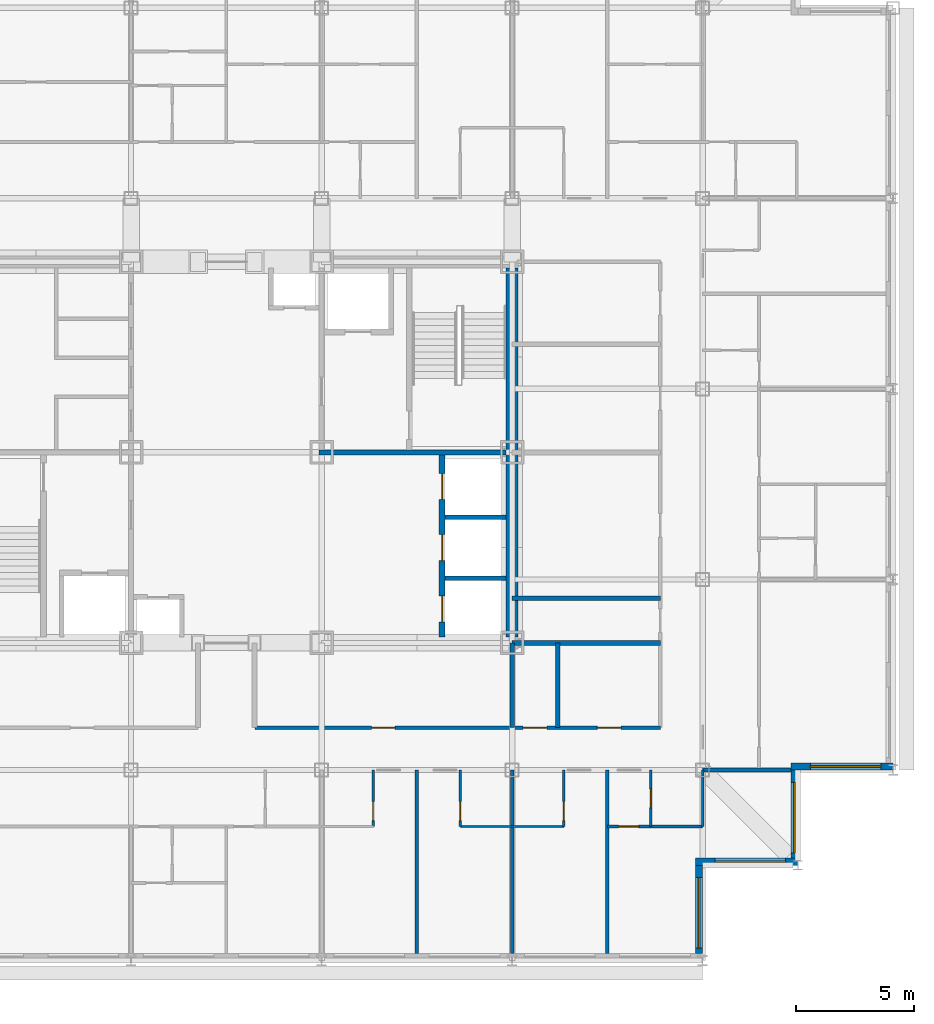
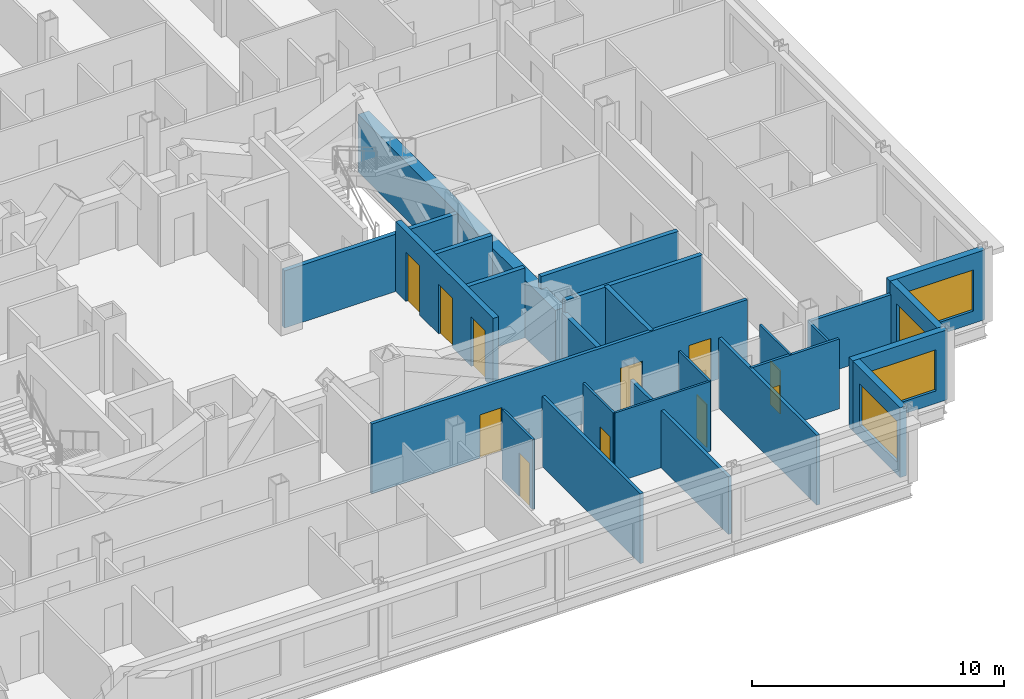
# One storey, part 7 of 12: 25 walls, 11 doors, 4 windows, 15 openings.
"""IFC4 building model written with IfcOpenShell, lengths in metres."""

from ifc_helpers import new_model, si_unit, direction, frame, frame_2d, origin, place, context, subcontext, project, spatial, rectangle, extrude, material, layer, layer_set, type_object, element, fill, save


model = new_model("IFC4")

# Units and contexts
model_context = context("Model", 3, precision=1e-05, world=origin(), true_north=direction((0.0, 1.0)))
body_context = subcontext(model_context, "Body", "Model", "MODEL_VIEW")
ifc_project = project(units=[si_unit("LENGTHUNIT", "METRE"), si_unit("AREAUNIT", "SQUARE_METRE"), si_unit("VOLUMEUNIT", "CUBIC_METRE"), si_unit("PLANEANGLEUNIT", "RADIAN"), si_unit("MASSUNIT", "GRAM", prefix="KILO")], contexts=[model_context])

# Site, building, storey
site_placement = place(None, origin())
site = spatial("IfcSite", under=ifc_project, at=site_placement, CompositionType="ELEMENT")
building_placement = place(site_placement, origin())
building = spatial("IfcBuilding", under=site, at=building_placement, Name="Kopane Lantern Tower", CompositionType="ELEMENT")
storey_placement = place(building_placement, frame((0.0, 0.0, 217.199951171875)))
storey = spatial("IfcBuildingStorey", under=building, at=storey_placement, Name="L56", CompositionType="ELEMENT", Elevation=217.199951171875)

# Wall, opening, door
ifc_material_1 = material(Name="Gypsum board on steel studs", Category="steel")
ifc_layer_1 = layer(ifc_material_1, 0.1201171875)
ifc_layer_set_1 = layer_set([ifc_layer_1], Name="APARTMENT INTERNAL WALL 120")
wall_type_1 = type_object("IfcWallType", Name="APARTMENT INTERNAL WALL 120", PredefinedType="PARTITIONING", material=ifc_layer_set_1)
wall_1_placement = place(storey_placement, frame((44.550048828125, 16.5, 0.0), z_axis=(0.0, 0.0, 1.0), x_axis=(1.0, 0.0, 0.0)))
wall_1 = element("IfcWall", 1, at=wall_1_placement, inside=storey, type_object=wall_type_1, Name="Apartment Internal Wall 120 L56", PredefinedType="PARTITIONING", context=body_context, shape_type="SweptSolid", body=[
    extrude(rectangle(XDim=4.050048828125, YDim=0.1201171875, at=frame_2d((2.02490234375, 0.0))), origin(), (0.0, 0.0, 1.0), 3.39013671875),
])
opening_1_placement = place(wall_1_placement, frame((0.47509765625, 0.0, 0.0)))
opening_1 = element("IfcOpeningElement", 2, at=opening_1_placement, cuts=wall_1, Name="Opening L56-060", PredefinedType="OPENING", context=body_context, shape_type="SweptSolid", body=[
    extrude(rectangle(XDim=0.85009765625, YDim=2.10009765625, at=frame_2d((0.425048828125, 1.050048828125))), frame((0.0, 0.070068359375, 0.0), z_axis=(0.0, -1.0, 0.0), x_axis=(1.0, 0.0, 0.0)), (0.0, 0.0, 1.0), 0.14013671875),
])
ifc_material_2 = material(Name="Timber door set", Category="wood")
door_type_1 = type_object("IfcDoorType", Name="DOOR D4 850x2100", OperationType="SINGLE_SWING_LEFT", PredefinedType="DOOR", material=ifc_material_2)
door_1_placement = place(opening_1_placement, origin())
door_1 = element("IfcDoor", 3, at=door_1_placement, inside=storey, type_object=door_type_1, Name="Door L56-060", OperationType="SINGLE_SWING_RIGHT", OverallHeight=2.10009765625, OverallWidth=0.85009765625, PredefinedType="DOOR", context=body_context, shape_type="SweptSolid", body=[
    extrude(rectangle(XDim=0.85009765625, YDim=2.10009765625, at=frame_2d((0.425048828125, 1.050048828125))), frame((0.0, 0.02490234375, 0.0), z_axis=(0.0, -1.0, 0.0), x_axis=(1.0, 0.0, 0.0)), (0.0, 0.0, 1.0), 0.050048828125),
])
fill(opening_1, door_1)

ifc_material_3 = material(Name="Moisture-resistant board on steel studs", Category="steel")
ifc_layer_2 = layer(ifc_material_3, 0.10009765625)
ifc_layer_set_2 = layer_set([ifc_layer_2], Name="BATHROOM WALL 100")
wall_type_2 = type_object("IfcWallType", Name="BATHROOM WALL 100", PredefinedType="PARTITIONING", material=ifc_layer_set_2)
wall_2_placement = place(storey_placement, frame((34.60009765625, 18.89990234375, 0.0), z_axis=(0.0, 0.0, 1.0), x_axis=(0.0, -1.0, 0.0)))
wall_2 = element("IfcWall", 4, at=wall_2_placement, inside=storey, type_object=wall_type_2, Name="Bathroom Wall 100 L56", PredefinedType="PARTITIONING", context=body_context, shape_type="SweptSolid", body=[
    extrude(rectangle(XDim=2.39990234375, YDim=0.10009765625, at=frame_2d((1.199951171875, 0.0))), origin(), (0.0, 0.0, 1.0), 3.39013671875),
])
opening_2_placement = place(wall_2_placement, frame((1.35009765625, 0.0, 0.0)))
opening_2 = element("IfcOpeningElement", 5, at=opening_2_placement, cuts=wall_2, Name="Opening L56-018", PredefinedType="OPENING", context=body_context, shape_type="SweptSolid", body=[
    extrude(rectangle(XDim=0.800048828125, YDim=2.10009765625, at=frame_2d((0.39990234375, 1.050048828125))), frame((0.0, 0.06005859375, 0.0), z_axis=(0.0, -1.0, 0.0), x_axis=(1.0, 0.0, 0.0)), (0.0, 0.0, 1.0), 0.1201171875),
])
ifc_material_4 = material(Name="Timber door set", Category="wood")
door_type_2 = type_object("IfcDoorType", Name="DOOR D2 800x2100", OperationType="SINGLE_SWING_LEFT", PredefinedType="DOOR", material=ifc_material_4)
door_2_placement = place(opening_2_placement, origin())
door_2 = element("IfcDoor", 6, at=door_2_placement, inside=storey, type_object=door_type_2, Name="Door L56-018", OperationType="SINGLE_SWING_LEFT", OverallHeight=2.10009765625, OverallWidth=0.800048828125, PredefinedType="DOOR", context=body_context, shape_type="SweptSolid", body=[
    extrude(rectangle(XDim=0.800048828125, YDim=2.10009765625, at=frame_2d((0.39990234375, 1.050048828125))), frame((0.0, 0.02490234375, 0.0), z_axis=(0.0, -1.0, 0.0), x_axis=(1.0, 0.0, 0.0)), (0.0, 0.0, 1.0), 0.050048828125),
])
fill(opening_2, door_2)

# Wall
wall_3_placement = place(storey_placement, frame((38.300048828125, 16.5, 0.0), z_axis=(0.0, 0.0, 1.0), x_axis=(1.0, 0.0, 0.0)))
element("IfcWall", 7, at=wall_3_placement, inside=storey, type_object=wall_type_2, Name="Bathroom Wall 100 L56", PredefinedType="PARTITIONING", context=body_context, shape_type="SweptSolid", body=[
    extrude(rectangle(XDim=4.39990234375, YDim=0.10009765625, at=frame_2d((2.199951171875, 0.0))), origin(), (0.0, 0.0, 1.0), 3.39013671875),
])

# Wall, opening, door
wall_4_placement = place(storey_placement, frame((38.300048828125, 18.89990234375, 0.0), z_axis=(0.0, 0.0, 1.0), x_axis=(0.0, -1.0, 0.0)))
wall_4 = element("IfcWall", 8, at=wall_4_placement, inside=storey, type_object=wall_type_2, Name="Bathroom Wall 100 L56", PredefinedType="PARTITIONING", context=body_context, shape_type="SweptSolid", body=[
    extrude(rectangle(XDim=2.39990234375, YDim=0.10009765625, at=frame_2d((1.199951171875, 0.0))), origin(), (0.0, 0.0, 1.0), 3.39013671875),
])
opening_3_placement = place(wall_4_placement, frame((1.35009765625, 0.0, 0.0)))
opening_3 = element("IfcOpeningElement", 9, at=opening_3_placement, cuts=wall_4, Name="Opening L56-020", PredefinedType="OPENING", context=body_context, shape_type="SweptSolid", body=[
    extrude(rectangle(XDim=0.800048828125, YDim=2.10009765625, at=frame_2d((0.39990234375, 1.050048828125))), frame((0.0, 0.06005859375, 0.0), z_axis=(0.0, -1.0, 0.0), x_axis=(1.0, 0.0, 0.0)), (0.0, 0.0, 1.0), 0.1201171875),
])
door_3_placement = place(opening_3_placement, origin())
door_3 = element("IfcDoor", 10, at=door_3_placement, inside=storey, type_object=door_type_2, Name="Door L56-020", OperationType="SINGLE_SWING_RIGHT", OverallHeight=2.10009765625, OverallWidth=0.800048828125, PredefinedType="DOOR", context=body_context, shape_type="SweptSolid", body=[
    extrude(rectangle(XDim=0.800048828125, YDim=2.10009765625, at=frame_2d((0.39990234375, 1.050048828125))), frame((0.0, 0.02490234375, 0.0), z_axis=(0.0, -1.0, 0.0), x_axis=(1.0, 0.0, 0.0)), (0.0, 0.0, 1.0), 0.050048828125),
])
fill(opening_3, door_3)

wall_5_placement = place(storey_placement, frame((42.699951171875, 18.89990234375, 0.0), z_axis=(0.0, 0.0, 1.0), x_axis=(0.0, -1.0, 0.0)))
wall_5 = element("IfcWall", 11, at=wall_5_placement, inside=storey, type_object=wall_type_2, Name="Bathroom Wall 100 L56", PredefinedType="PARTITIONING", context=body_context, shape_type="SweptSolid", body=[
    extrude(rectangle(XDim=2.39990234375, YDim=0.10009765625, at=frame_2d((1.199951171875, 0.0))), origin(), (0.0, 0.0, 1.0), 3.39013671875),
])
opening_4_placement = place(wall_5_placement, frame((1.35009765625, 0.0, 0.0)))
opening_4 = element("IfcOpeningElement", 12, at=opening_4_placement, cuts=wall_5, Name="Opening L56-022", PredefinedType="OPENING", context=body_context, shape_type="SweptSolid", body=[
    extrude(rectangle(XDim=0.800048828125, YDim=2.10009765625, at=frame_2d((0.39990234375, 1.050048828125))), frame((0.0, 0.06005859375, 0.0), z_axis=(0.0, -1.0, 0.0), x_axis=(1.0, 0.0, 0.0)), (0.0, 0.0, 1.0), 0.1201171875),
])
door_4_placement = place(opening_4_placement, origin())
door_4 = element("IfcDoor", 13, at=door_4_placement, inside=storey, type_object=door_type_2, Name="Door L56-022", OperationType="SINGLE_SWING_LEFT", OverallHeight=2.10009765625, OverallWidth=0.800048828125, PredefinedType="DOOR", context=body_context, shape_type="SweptSolid", body=[
    extrude(rectangle(XDim=0.800048828125, YDim=2.10009765625, at=frame_2d((0.39990234375, 1.050048828125))), frame((0.0, 0.02490234375, 0.0), z_axis=(0.0, -1.0, 0.0), x_axis=(1.0, 0.0, 0.0)), (0.0, 0.0, 1.0), 0.050048828125),
])
fill(opening_4, door_4)

wall_6_placement = place(storey_placement, frame((46.39990234375, 18.89990234375, 0.0), z_axis=(0.0, 0.0, 1.0), x_axis=(0.0, -1.0, 0.0)))
wall_6 = element("IfcWall", 14, at=wall_6_placement, inside=storey, type_object=wall_type_2, Name="Bathroom Wall 100 L56", PredefinedType="PARTITIONING", context=body_context, shape_type="SweptSolid", body=[
    extrude(rectangle(XDim=2.39990234375, YDim=0.10009765625, at=frame_2d((1.199951171875, 0.0))), origin(), (0.0, 0.0, 1.0), 3.39013671875),
])
opening_5_placement = place(wall_6_placement, frame((0.800048828125, 0.0, 0.0)))
opening_5 = element("IfcOpeningElement", 15, at=opening_5_placement, cuts=wall_6, Name="Opening L56-058", PredefinedType="OPENING", context=body_context, shape_type="SweptSolid", body=[
    extrude(rectangle(XDim=0.800048828125, YDim=2.10009765625, at=frame_2d((0.39990234375, 1.050048828125))), frame((0.0, 0.06005859375, 0.0), z_axis=(0.0, -1.0, 0.0), x_axis=(1.0, 0.0, 0.0)), (0.0, 0.0, 1.0), 0.1201171875),
])
door_5_placement = place(opening_5_placement, origin())
door_5 = element("IfcDoor", 16, at=door_5_placement, inside=storey, type_object=door_type_2, Name="Door L56-058", OperationType="SINGLE_SWING_LEFT", OverallHeight=2.10009765625, OverallWidth=0.800048828125, PredefinedType="DOOR", context=body_context, shape_type="SweptSolid", body=[
    extrude(rectangle(XDim=0.800048828125, YDim=2.10009765625, at=frame_2d((0.39990234375, 1.050048828125))), frame((0.0, 0.02490234375, 0.0), z_axis=(0.0, -1.0, 0.0), x_axis=(1.0, 0.0, 0.0)), (0.0, 0.0, 1.0), 0.050048828125),
])
fill(opening_5, door_5)

# Walls
wall_7_placement = place(storey_placement, frame((48.60009765625, 18.89990234375, 0.0), z_axis=(0.0, 0.0, 1.0), x_axis=(0.0, -1.0, 0.0)))
element("IfcWall", 17, at=wall_7_placement, inside=storey, type_object=wall_type_2, Name="Bathroom Wall 100 L56", PredefinedType="PARTITIONING", context=body_context, shape_type="SweptSolid", body=[
    extrude(rectangle(XDim=2.39990234375, YDim=0.10009765625, at=frame_2d((1.199951171875, 0.0))), origin(), (0.0, 0.0, 1.0), 2.77783203125),
])
ifc_material_5 = material(Name="Gypsum shaft wall EI 120", Category="gypsum")
ifc_layer_3 = layer(ifc_material_5, 0.5)
ifc_layer_set_3 = layer_set([ifc_layer_3], Name="CORE PERIMETER WALL 500 EI 120")
wall_type_3 = type_object("IfcWallType", Name="CORE PERIMETER WALL 500 EI 120", PredefinedType="SOLIDWALL", material=ifc_layer_set_3)
wall_8_placement = place(storey_placement, frame((40.5, 24.550048828125, 0.0), z_axis=(0.0, 0.0, 1.0), x_axis=(0.0, 1.0, 0.0)))
element("IfcWall", 18, at=wall_8_placement, inside=storey, type_object=wall_type_3, Name="Core shaft wall L56 PE", PredefinedType="SOLIDWALL", context=body_context, shape_type="SweptSolid", body=[
    extrude(rectangle(XDim=15.699951171875, YDim=0.5, at=frame_2d((7.85009765625, 0.0))), origin(), (0.0, 0.0, 1.0), 2.77783203125),
])

# Wall, openings, doors
ifc_material_6 = material(Name="Gypsum shaft wall EI 120", Category="gypsum")
ifc_layer_4 = layer(ifc_material_6, 0.25)
ifc_layer_set_4 = layer_set([ifc_layer_4], Name="CORE SHAFT WALL 250 EI 120")
wall_type_4 = type_object("IfcWallType", Name="CORE SHAFT WALL 250 EI 120", PredefinedType="SOLIDWALL", material=ifc_layer_set_4)
wall_9_placement = place(storey_placement, frame((37.52490234375, 24.550048828125, 0.0), z_axis=(0.0, 0.0, 1.0), x_axis=(0.0, 1.0, 0.0)))
wall_9 = element("IfcWall", 19, at=wall_9_placement, inside=storey, type_object=wall_type_4, Name="Core shaft wall L56 XLR", PredefinedType="SOLIDWALL", context=body_context, shape_type="SweptSolid", body=[
    extrude(rectangle(XDim=7.75, YDim=0.25, at=frame_2d((3.875, 0.0))), origin(), (0.0, 0.0, 1.0), 3.39013671875),
])
opening_6_placement = place(wall_9_placement, frame((0.64990234375, 0.0, 0.0)))
opening_6 = element("IfcOpeningElement", 20, at=opening_6_placement, cuts=wall_9, Name="Opening 56.LD-LR1", PredefinedType="OPENING", context=body_context, shape_type="SweptSolid", body=[
    extrude(rectangle(XDim=1.10009765625, YDim=2.39990234375, at=frame_2d((0.550048828125, 1.199951171875))), frame((0.0, 0.135009765625, 0.0), z_axis=(0.0, -1.0, 0.0), x_axis=(1.0, 0.0, 0.0)), (0.0, 0.0, 1.0), 0.27001953125),
])
opening_7_placement = place(wall_9_placement, frame((3.25, 0.0, 0.0)))
opening_7 = element("IfcOpeningElement", 21, at=opening_7_placement, cuts=wall_9, Name="Opening 56.LD-LR2", PredefinedType="OPENING", context=body_context, shape_type="SweptSolid", body=[
    extrude(rectangle(XDim=1.10009765625, YDim=2.39990234375, at=frame_2d((0.550048828125, 1.199951171875))), frame((0.0, 0.135009765625, 0.0), z_axis=(0.0, -1.0, 0.0), x_axis=(1.0, 0.0, 0.0)), (0.0, 0.0, 1.0), 0.27001953125),
])
opening_8_placement = place(wall_9_placement, frame((5.85009765625, 0.0, 0.0)))
opening_8 = element("IfcOpeningElement", 22, at=opening_8_placement, cuts=wall_9, Name="Opening 56.LD-LR3", PredefinedType="OPENING", context=body_context, shape_type="SweptSolid", body=[
    extrude(rectangle(XDim=1.10009765625, YDim=2.39990234375, at=frame_2d((0.550048828125, 1.199951171875))), frame((0.0, 0.135009765625, 0.0), z_axis=(0.0, -1.0, 0.0), x_axis=(1.0, 0.0, 0.0)), (0.0, 0.0, 1.0), 0.27001953125),
])
ifc_material_7 = material(Name="Steel door set", Category="steel")
door_type_3 = type_object("IfcDoorType", Name="LIFT LANDING DOOR 1100x2400 FD60", OperationType="DOUBLE_DOOR_SLIDING", PredefinedType="DOOR", material=ifc_material_7)
door_6_placement = place(opening_6_placement, origin())
door_6 = element("IfcDoor", 23, at=door_6_placement, inside=storey, type_object=door_type_3, Name="Landing door LR1 L56", OperationType="DOUBLE_DOOR_SLIDING", OverallHeight=2.39990234375, OverallWidth=1.10009765625, PredefinedType="DOOR", context=body_context, shape_type="SweptSolid", body=[
    extrude(rectangle(XDim=1.10009765625, YDim=2.39990234375, at=frame_2d((0.550048828125, 1.199951171875))), frame((0.0, 0.02490234375, 0.0), z_axis=(0.0, -1.0, 0.0), x_axis=(1.0, 0.0, 0.0)), (0.0, 0.0, 1.0), 0.050048828125),
])
fill(opening_6, door_6)
door_7_placement = place(opening_7_placement, origin())
door_7 = element("IfcDoor", 24, at=door_7_placement, inside=storey, type_object=door_type_3, Name="Landing door LR2 L56", OperationType="DOUBLE_DOOR_SLIDING", OverallHeight=2.39990234375, OverallWidth=1.10009765625, PredefinedType="DOOR", context=body_context, shape_type="SweptSolid", body=[
    extrude(rectangle(XDim=1.10009765625, YDim=2.39990234375, at=frame_2d((0.550048828125, 1.199951171875))), frame((0.0, 0.02490234375, 0.0), z_axis=(0.0, -1.0, 0.0), x_axis=(1.0, 0.0, 0.0)), (0.0, 0.0, 1.0), 0.050048828125),
])
fill(opening_7, door_7)
door_8_placement = place(opening_8_placement, origin())
door_8 = element("IfcDoor", 25, at=door_8_placement, inside=storey, type_object=door_type_3, Name="Landing door LR3 L56", OperationType="DOUBLE_DOOR_SLIDING", OverallHeight=2.39990234375, OverallWidth=1.10009765625, PredefinedType="DOOR", context=body_context, shape_type="SweptSolid", body=[
    extrude(rectangle(XDim=1.10009765625, YDim=2.39990234375, at=frame_2d((0.550048828125, 1.199951171875))), frame((0.0, 0.02490234375, 0.0), z_axis=(0.0, -1.0, 0.0), x_axis=(1.0, 0.0, 0.0)), (0.0, 0.0, 1.0), 0.050048828125),
])
fill(opening_8, door_8)

ifc_material_8 = material(Name="Gypsum board on steel studs", Category="steel")
ifc_layer_5 = layer(ifc_material_8, 0.14990234375)
ifc_layer_set_5 = layer_set([ifc_layer_5], Name="CORRIDOR WALL 150 EI 60")
wall_type_5 = type_object("IfcWallType", Name="CORRIDOR WALL 150 EI 60", PredefinedType="PARTITIONING", material=ifc_layer_set_5)
wall_10_placement = place(storey_placement, frame((29.56005859375, 20.699951171875, 0.0), z_axis=(0.0, 0.0, 1.0), x_axis=(1.0, 0.0, 0.0)))
wall_10 = element("IfcWall", 26, at=wall_10_placement, inside=storey, type_object=wall_type_5, Name="Corridor Wall 150 Ei 60 L56", PredefinedType="PARTITIONING", context=body_context, shape_type="SweptSolid", body=[
    extrude(rectangle(XDim=17.239990234375, YDim=0.14990234375, at=frame_2d((8.6201171875, 0.0))), origin(), (0.0, 0.0, 1.0), 3.39013671875),
])
opening_9_placement = place(wall_10_placement, frame((4.965087890625, 0.0, 0.0)))
opening_9 = element("IfcOpeningElement", 27, at=opening_9_placement, cuts=wall_10, Name="Opening L56-009", PredefinedType="OPENING", context=body_context, shape_type="SweptSolid", body=[
    extrude(rectangle(XDim=1.0, YDim=2.10009765625, at=frame_2d((0.5, 1.050048828125))), frame((0.0, 0.0849609375, 0.0), z_axis=(0.0, -1.0, 0.0), x_axis=(1.0, 0.0, 0.0)), (0.0, 0.0, 1.0), 0.169921875),
])
opening_10_placement = place(wall_10_placement, frame((11.412109375, 0.0, 0.0)))
opening_10 = element("IfcOpeningElement", 28, at=opening_10_placement, cuts=wall_10, Name="Opening L56-010", PredefinedType="OPENING", context=body_context, shape_type="SweptSolid", body=[
    extrude(rectangle(XDim=1.0, YDim=2.10009765625, at=frame_2d((0.5, 1.050048828125))), frame((0.0, 0.0849609375, 0.0), z_axis=(0.0, -1.0, 0.0), x_axis=(1.0, 0.0, 0.0)), (0.0, 0.0, 1.0), 0.169921875),
])
opening_11_placement = place(wall_10_placement, frame((14.562255859375, 0.0, 0.0)))
opening_11 = element("IfcOpeningElement", 29, at=opening_11_placement, cuts=wall_10, Name="Opening L56-011", PredefinedType="OPENING", context=body_context, shape_type="SweptSolid", body=[
    extrude(rectangle(XDim=1.0, YDim=2.10009765625, at=frame_2d((0.5, 1.050048828125))), frame((0.0, 0.0849609375, 0.0), z_axis=(0.0, -1.0, 0.0), x_axis=(1.0, 0.0, 0.0)), (0.0, 0.0, 1.0), 0.169921875),
])
ifc_material_9 = material(Name="Steel door set", Category="steel")
door_type_4 = type_object("IfcDoorType", Name="DOOR D5 1000x2100 FD60", OperationType="SINGLE_SWING_LEFT", PredefinedType="DOOR", material=ifc_material_9)
door_9_placement = place(opening_9_placement, origin())
door_9 = element("IfcDoor", 30, at=door_9_placement, inside=storey, type_object=door_type_4, Name="Door L56-009", OperationType="SINGLE_SWING_LEFT", OverallHeight=2.10009765625, OverallWidth=1.0, PredefinedType="DOOR", context=body_context, shape_type="SweptSolid", body=[
    extrude(rectangle(XDim=1.0, YDim=2.10009765625, at=frame_2d((0.5, 1.050048828125))), frame((0.0, 0.02490234375, 0.0), z_axis=(0.0, -1.0, 0.0), x_axis=(1.0, 0.0, 0.0)), (0.0, 0.0, 1.0), 0.050048828125),
])
fill(opening_9, door_9)
door_10_placement = place(opening_10_placement, origin())
door_10 = element("IfcDoor", 31, at=door_10_placement, inside=storey, type_object=door_type_4, Name="Door L56-010", OperationType="SINGLE_SWING_RIGHT", OverallHeight=2.10009765625, OverallWidth=1.0, PredefinedType="DOOR", context=body_context, shape_type="SweptSolid", body=[
    extrude(rectangle(XDim=1.0, YDim=2.10009765625, at=frame_2d((0.5, 1.050048828125))), frame((0.0, 0.02490234375, 0.0), z_axis=(0.0, -1.0, 0.0), x_axis=(1.0, 0.0, 0.0)), (0.0, 0.0, 1.0), 0.050048828125),
])
fill(opening_10, door_10)
door_11_placement = place(opening_11_placement, origin())
door_11 = element("IfcDoor", 32, at=door_11_placement, inside=storey, type_object=door_type_4, Name="Door L56-011", OperationType="SINGLE_SWING_LEFT", OverallHeight=2.10009765625, OverallWidth=1.0, PredefinedType="DOOR", context=body_context, shape_type="SweptSolid", body=[
    extrude(rectangle(XDim=1.0, YDim=2.10009765625, at=frame_2d((0.5, 1.050048828125))), frame((0.0, 0.02490234375, 0.0), z_axis=(0.0, -1.0, 0.0), x_axis=(1.0, 0.0, 0.0)), (0.0, 0.0, 1.0), 0.050048828125),
])
fill(opening_11, door_11)

# Walls
ifc_material_10 = material(Name="Gypsum board on steel studs", Category="steel")
ifc_layer_6 = layer(ifc_material_10, 0.14990234375)
ifc_layer_set_6 = layer_set([ifc_layer_6], Name="DEMISING WALL 150 EI 60")
wall_type_6 = type_object("IfcWallType", Name="DEMISING WALL 150 EI 60", PredefinedType="PARTITIONING", material=ifc_layer_set_6)
wall_11_placement = place(storey_placement, frame((36.449951171875, 18.89990234375, 0.0), z_axis=(0.0, 0.0, 1.0), x_axis=(0.0, -1.0, 0.0)))
element("IfcWall", 33, at=wall_11_placement, inside=storey, type_object=wall_type_6, Name="Demising Wall 150 Ei 60 L56", PredefinedType="PARTITIONING", context=body_context, shape_type="SweptSolid", body=[
    extrude(rectangle(XDim=7.7998046875, YDim=0.14990234375, at=frame_2d((3.89990234375, 0.0))), origin(), (0.0, 0.0, 1.0), 3.39013671875),
])
wall_12_placement = place(storey_placement, frame((40.5, 18.89990234375, 0.0), z_axis=(0.0, 0.0, 1.0), x_axis=(0.0, -1.0, 0.0)))
element("IfcWall", 34, at=wall_12_placement, inside=storey, type_object=wall_type_6, Name="Demising Wall 150 Ei 60 L56", PredefinedType="PARTITIONING", context=body_context, shape_type="SweptSolid", body=[
    extrude(rectangle(XDim=7.7998046875, YDim=0.14990234375, at=frame_2d((3.89990234375, 0.0))), origin(), (0.0, 0.0, 1.0), 2.77783203125),
])
wall_13_placement = place(storey_placement, frame((48.60009765625, 18.89990234375, 0.0), z_axis=(0.0, 0.0, 1.0), x_axis=(1.0, 0.0, 0.0)))
element("IfcWall", 35, at=wall_13_placement, inside=storey, type_object=wall_type_6, Name="Demising Wall 150 Ei 60 L56", PredefinedType="PARTITIONING", context=body_context, shape_type="SweptSolid", body=[
    extrude(rectangle(XDim=3.75, YDim=0.14990234375, at=frame_2d((1.875, 0.0))), origin(), (0.0, 0.0, 1.0), 2.77783203125),
])
wall_14_placement = place(storey_placement, frame((44.550048828125, 18.89990234375, 0.0), z_axis=(0.0, 0.0, 1.0), x_axis=(0.0, -1.0, 0.0)))
element("IfcWall", 36, at=wall_14_placement, inside=storey, type_object=wall_type_6, Name="Demising Wall 150 Ei 60 L56", PredefinedType="PARTITIONING", context=body_context, shape_type="SweptSolid", body=[
    extrude(rectangle(XDim=7.7998046875, YDim=0.14990234375, at=frame_2d((3.89990234375, 0.0))), origin(), (0.0, 0.0, 1.0), 3.39013671875),
])

# Wall, opening, window
ifc_material_11 = material(Name="Terracotta rainscreen on light steel framing", Category="masonry")
ifc_layer_7 = layer(ifc_material_11, 0.300048828125)
ifc_layer_set_7 = layer_set([ifc_layer_7], Name="EXTERNAL WALL EW1 300 TERRACOTTA")
wall_type_7 = type_object("IfcWallType", Name="EXTERNAL WALL EW1 300 TERRACOTTA", PredefinedType="SOLIDWALL", material=ifc_layer_set_7)
wall_15_placement = place(storey_placement, frame((48.449951171875, 11.10009765625, 0.0), z_axis=(0.0, 0.0, 1.0), x_axis=(0.0, 1.0, 0.0)))
wall_15 = element("IfcWall", 37, at=wall_15_placement, inside=storey, type_object=wall_type_7, Name="External wall E L56", PredefinedType="SOLIDWALL", context=body_context, shape_type="SweptSolid", body=[
    extrude(rectangle(XDim=3.75, YDim=0.300048828125, at=frame_2d((1.875, 0.0))), origin(), (0.0, 0.0, 1.0), 3.39013671875),
])
opening_12_placement = place(wall_15_placement, frame((0.22509765625, 0.0, 0.60009765625)))
opening_12 = element("IfcOpeningElement", 38, at=opening_12_placement, cuts=wall_15, Name="Opening WR300200", PredefinedType="OPENING", context=body_context, shape_type="SweptSolid", body=[
    extrude(rectangle(XDim=3.0, YDim=2.0, at=frame_2d((1.5, 1.0))), frame((0.0, 0.159912109375, 0.0), z_axis=(0.0, -1.0, 0.0), x_axis=(1.0, 0.0, 0.0)), (0.0, 0.0, 1.0), 0.320068359375),
])
ifc_material_12 = material(Name="Aluminium and clear glass", Category="aluminium")
window_type = type_object("IfcWindowType", Name="RIBBON WINDOW WR300200 3000x2000", PartitioningType="SINGLE_PANEL", PredefinedType="WINDOW", material=ifc_material_12)
window_1_placement = place(opening_12_placement, origin())
window_1 = element("IfcWindow", 39, at=window_1_placement, inside=storey, type_object=window_type, Name="Window E L56", OverallHeight=2.0, OverallWidth=3.0, PartitioningType="SINGLE_PANEL", PredefinedType="WINDOW", context=body_context, shape_type="SweptSolid", body=[
    extrude(rectangle(XDim=3.0, YDim=2.0, at=frame_2d((1.5, 1.0))), frame((0.0, 0.030029296875, 0.0), z_axis=(0.0, -1.0, 0.0), x_axis=(1.0, 0.0, 0.0)), (0.0, 0.0, 1.0), 0.06005859375),
])
fill(opening_12, window_1)

wall_16_placement = place(storey_placement, frame((48.300048828125, 15.0, 0.0), z_axis=(0.0, 0.0, 1.0), x_axis=(1.0, 0.0, 0.0)))
wall_16 = element("IfcWall", 40, at=wall_16_placement, inside=storey, type_object=wall_type_7, Name="External wall S L56", PredefinedType="SOLIDWALL", context=body_context, shape_type="SweptSolid", body=[
    extrude(rectangle(XDim=4.349853515625, YDim=0.300048828125, at=frame_2d((2.1748046875, 0.0))), origin(), (0.0, 0.0, 1.0), 3.39013671875),
])
opening_13_placement = place(wall_16_placement, frame((0.824951171875, 0.0, 0.60009765625)))
opening_13 = element("IfcOpeningElement", 41, at=opening_13_placement, cuts=wall_16, Name="Opening WR300200", PredefinedType="OPENING", context=body_context, shape_type="SweptSolid", body=[
    extrude(rectangle(XDim=3.0, YDim=2.0, at=frame_2d((1.5, 1.0))), frame((0.0, 0.159912109375, 0.0), z_axis=(0.0, -1.0, 0.0), x_axis=(1.0, 0.0, 0.0)), (0.0, 0.0, 1.0), 0.320068359375),
])
window_2_placement = place(opening_13_placement, origin())
window_2 = element("IfcWindow", 42, at=window_2_placement, inside=storey, type_object=window_type, Name="Window S L56", OverallHeight=2.0, OverallWidth=3.0, PartitioningType="SINGLE_PANEL", PredefinedType="WINDOW", context=body_context, shape_type="SweptSolid", body=[
    extrude(rectangle(XDim=3.0, YDim=2.0, at=frame_2d((1.5, 1.0))), frame((0.0, 0.030029296875, 0.0), z_axis=(0.0, -1.0, 0.0), x_axis=(1.0, 0.0, 0.0)), (0.0, 0.0, 1.0), 0.06005859375),
])
fill(opening_13, window_2)

wall_17_placement = place(storey_placement, frame((52.5, 15.14990234375, 0.0), z_axis=(0.0, 0.0, 1.0), x_axis=(0.0, 1.0, 0.0)))
wall_17 = element("IfcWall", 43, at=wall_17_placement, inside=storey, type_object=wall_type_7, Name="External wall E L56", PredefinedType="SOLIDWALL", context=body_context, shape_type="SweptSolid", body=[
    extrude(rectangle(XDim=3.75, YDim=0.300048828125, at=frame_2d((1.875, 0.0))), origin(), (0.0, 0.0, 1.0), 3.39013671875),
])
opening_14_placement = place(wall_17_placement, frame((0.22509765625, 0.0, 0.60009765625)))
opening_14 = element("IfcOpeningElement", 44, at=opening_14_placement, cuts=wall_17, Name="Opening WR300200", PredefinedType="OPENING", context=body_context, shape_type="SweptSolid", body=[
    extrude(rectangle(XDim=3.0, YDim=2.0, at=frame_2d((1.5, 1.0))), frame((0.0, 0.159912109375, 0.0), z_axis=(0.0, -1.0, 0.0), x_axis=(1.0, 0.0, 0.0)), (0.0, 0.0, 1.0), 0.320068359375),
])
window_3_placement = place(opening_14_placement, origin())
window_3 = element("IfcWindow", 45, at=window_3_placement, inside=storey, type_object=window_type, Name="Window E L56", OverallHeight=2.0, OverallWidth=3.0, PartitioningType="SINGLE_PANEL", PredefinedType="WINDOW", context=body_context, shape_type="SweptSolid", body=[
    extrude(rectangle(XDim=3.0, YDim=2.0, at=frame_2d((1.5, 1.0))), frame((0.0, 0.030029296875, 0.0), z_axis=(0.0, -1.0, 0.0), x_axis=(1.0, 0.0, 0.0)), (0.0, 0.0, 1.0), 0.06005859375),
])
fill(opening_14, window_3)

wall_18_placement = place(storey_placement, frame((52.35009765625, 19.050048828125, 0.0), z_axis=(0.0, 0.0, 1.0), x_axis=(1.0, 0.0, 0.0)))
wall_18 = element("IfcWall", 46, at=wall_18_placement, inside=storey, type_object=wall_type_7, Name="External wall S L56", PredefinedType="SOLIDWALL", context=body_context, shape_type="SweptSolid", body=[
    extrude(rectangle(XDim=4.349853515625, YDim=0.300048828125, at=frame_2d((2.1748046875, 0.0))), origin(), (0.0, 0.0, 1.0), 3.39013671875),
])
opening_15_placement = place(wall_18_placement, frame((0.824951171875, 0.0, 0.60009765625)))
opening_15 = element("IfcOpeningElement", 47, at=opening_15_placement, cuts=wall_18, Name="Opening WR300200", PredefinedType="OPENING", context=body_context, shape_type="SweptSolid", body=[
    extrude(rectangle(XDim=3.0, YDim=2.0, at=frame_2d((1.5, 1.0))), frame((0.0, 0.159912109375, 0.0), z_axis=(0.0, -1.0, 0.0), x_axis=(1.0, 0.0, 0.0)), (0.0, 0.0, 1.0), 0.320068359375),
])
window_4_placement = place(opening_15_placement, origin())
window_4 = element("IfcWindow", 48, at=window_4_placement, inside=storey, type_object=window_type, Name="Window S L56", OverallHeight=2.0, OverallWidth=3.0, PartitioningType="SINGLE_PANEL", PredefinedType="WINDOW", context=body_context, shape_type="SweptSolid", body=[
    extrude(rectangle(XDim=3.0, YDim=2.0, at=frame_2d((1.5, 1.0))), frame((0.0, 0.030029296875, 0.0), z_axis=(0.0, -1.0, 0.0), x_axis=(1.0, 0.0, 0.0)), (0.0, 0.0, 1.0), 0.06005859375),
])
fill(opening_15, window_4)

# Walls
ifc_material_13 = material(Name="Concrete masonry", Category="masonry")
ifc_layer_8 = layer(ifc_material_13, 0.199951171875)
ifc_layer_set_8 = layer_set([ifc_layer_8], Name="PLANT ROOM WALL 200 EI 120")
wall_type_8 = type_object("IfcWallType", Name="PLANT ROOM WALL 200 EI 120", PredefinedType="SOLIDWALL", material=ifc_layer_set_8)
wall_19_placement = place(storey_placement, frame((46.800048828125, 26.204833984375, 0.0), z_axis=(0.0, 0.0, 1.0), x_axis=(-1.0, 0.0, 0.0)))
element("IfcWall", 49, at=wall_19_placement, inside=storey, type_object=wall_type_8, Name="Plant Room Wall 200 Ei 120 L56", PredefinedType="SOLIDWALL", context=body_context, shape_type="SweptSolid", body=[
    extrude(rectangle(XDim=6.300048828125, YDim=0.199951171875, at=frame_2d((3.14990234375, 0.0))), origin(), (0.0, 0.0, 1.0), 3.39013671875),
])
wall_20_placement = place(storey_placement, frame((40.5, 20.699951171875, 0.0), z_axis=(0.0, 0.0, 1.0), x_axis=(0.0, 1.0, 0.0)))
element("IfcWall", 50, at=wall_20_placement, inside=storey, type_object=wall_type_8, Name="Plant Room Wall 200 Ei 120 L56", PredefinedType="SOLIDWALL", context=body_context, shape_type="SweptSolid", body=[
    extrude(rectangle(XDim=3.60009765625, YDim=0.199951171875, at=frame_2d((1.800048828125, 0.0))), origin(), (0.0, 0.0, 1.0), 2.77783203125),
])
wall_21_placement = place(storey_placement, frame((42.4443359375, 20.699951171875, 0.0), z_axis=(0.0, 0.0, 1.0), x_axis=(0.0, 1.0, 0.0)))
element("IfcWall", 51, at=wall_21_placement, inside=storey, type_object=wall_type_8, Name="Plant Room Wall 200 Ei 120 L56", PredefinedType="SOLIDWALL", context=body_context, shape_type="SweptSolid", body=[
    extrude(rectangle(XDim=3.60009765625, YDim=0.199951171875, at=frame_2d((1.800048828125, 0.0))), origin(), (0.0, 0.0, 1.0), 3.39013671875),
])
wall_22_placement = place(storey_placement, frame((40.5, 24.300048828125, 0.0), z_axis=(0.0, 0.0, 1.0), x_axis=(1.0, 0.0, 0.0)))
element("IfcWall", 52, at=wall_22_placement, inside=storey, type_object=wall_type_8, Name="Plant Room Wall 200 Ei 120 L56", PredefinedType="SOLIDWALL", context=body_context, shape_type="SweptSolid", body=[
    extrude(rectangle(XDim=6.300048828125, YDim=0.199951171875, at=frame_2d((3.14990234375, 0.0))), origin(), (0.0, 0.0, 1.0), 3.39013671875),
])
ifc_material_14 = material(Name="Gypsum shaft wall EI 120", Category="gypsum")
ifc_layer_9 = layer(ifc_material_14, 0.199951171875)
ifc_layer_set_9 = layer_set([ifc_layer_9], Name="SHAFT WALL 200 EI 120")
wall_type_9 = type_object("IfcWallType", Name="SHAFT WALL 200 EI 120", PredefinedType="SOLIDWALL", material=ifc_layer_set_9)
wall_23_placement = place(storey_placement, frame((32.300048828125, 32.39990234375, 0.0), z_axis=(0.0, 0.0, 1.0), x_axis=(1.0, 0.0, 0.0)))
element("IfcWall", 53, at=wall_23_placement, inside=storey, type_object=wall_type_9, Name="Core shaft wall L56 Y324E", PredefinedType="SOLIDWALL", context=body_context, shape_type="SweptSolid", body=[
    extrude(rectangle(XDim=7.949951171875, YDim=0.199951171875, at=frame_2d((3.97509765625, 0.0))), origin(), (0.0, 0.0, 1.0), 2.77783203125),
])
for number, where, z_axis, x_axis, name in (
    (54, (37.64990234375, 27.050048828125, 0.0), (0.0, 0.0, 1.0), (1.0, 0.0, 0.0), "Core shaft wall L56 YLR12"),
    (55, (37.64990234375, 29.64990234375, 0.0), (0.0, 0.0, 1.0), (1.0, 0.0, 0.0), "Core shaft wall L56 YLR23"),
):
    element("IfcWall", number, at=place(storey_placement, frame(where, z_axis=z_axis, x_axis=x_axis)), inside=storey, type_object=wall_type_9, Name=name, PredefinedType="SOLIDWALL", context=body_context, shape_type="SweptSolid", body=[
        extrude(rectangle(XDim=2.60009765625, YDim=0.199951171875, at=frame_2d((1.300048828125, 0.0))), origin(), (0.0, 0.0, 1.0), 3.39013671875),
    ])

save(model, "model.ifc")
